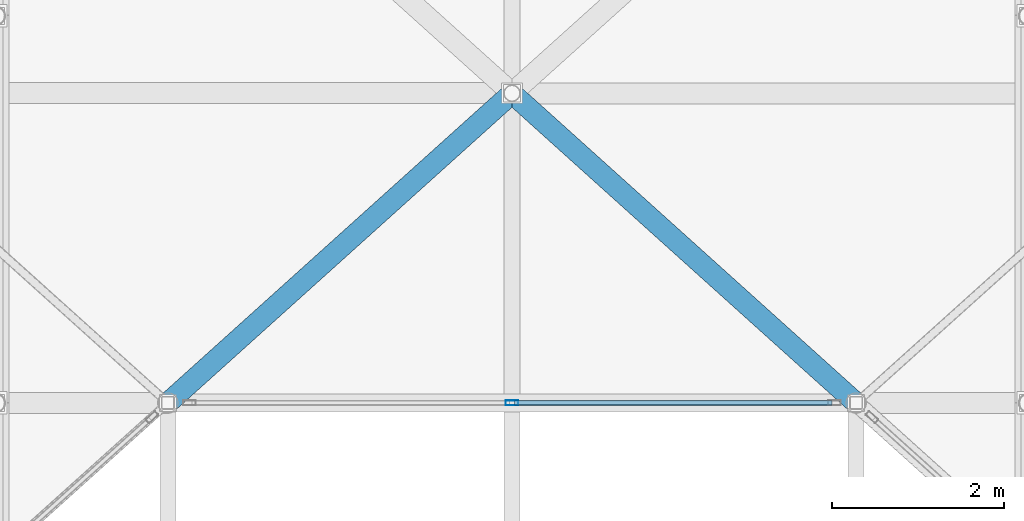
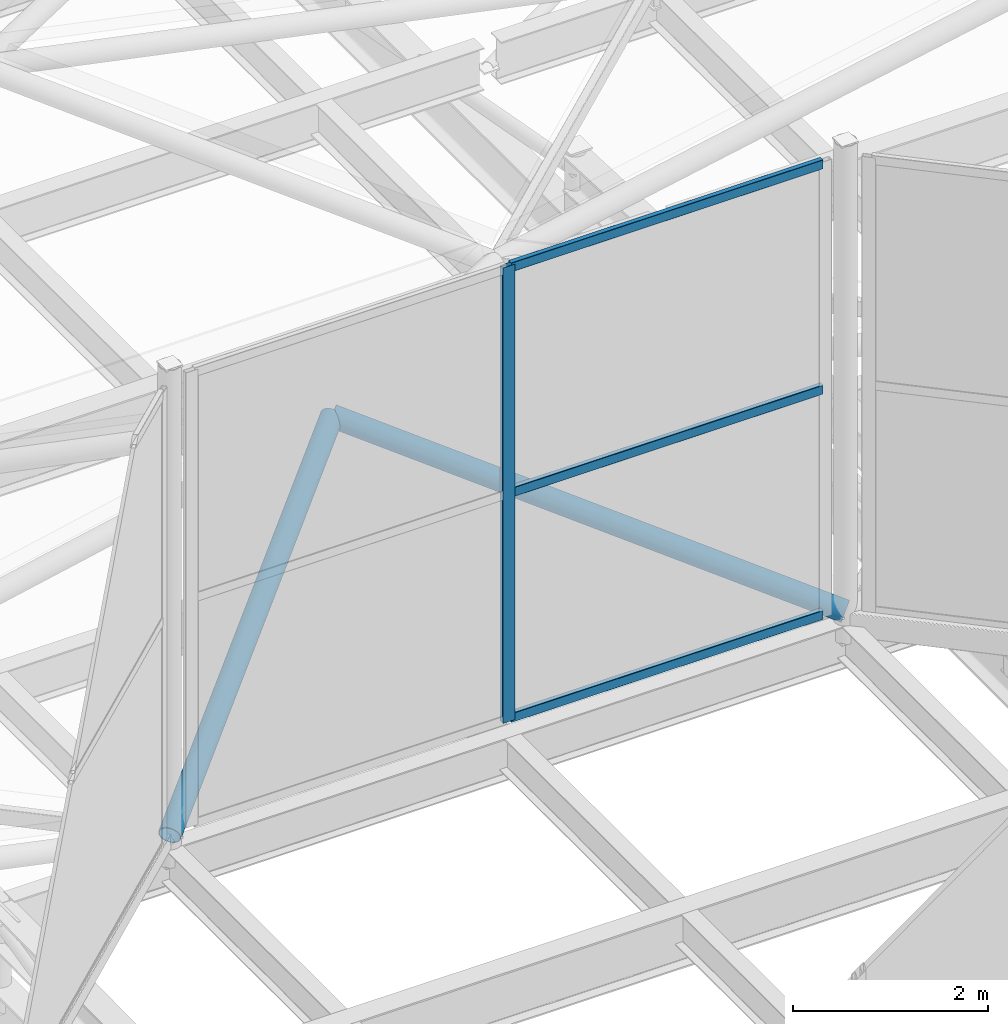
# One storey, part 122 of 239: 6 members, 1 element without a shape of its own.
"""IFC4 building model written with IfcOpenShell, lengths in metres."""

from ifc_helpers import new_model, si_unit, direction, frame, origin, origin_2d, place, context, subcontext, project, spatial, hollow_rectangle, hollow_circle, extrude, material, layer, layer_set, material_profile, profile_set, type_object, element, aggregate, save


model = new_model("IFC4")

# Units and contexts
model_context = context("Model", 3, precision=1e-05, world=origin(), true_north=direction((0.0, 1.0)))
body_context = subcontext(model_context, "Body", "Model", "MODEL_VIEW")
ifc_project = project(units=[si_unit("LENGTHUNIT", "METRE"), si_unit("AREAUNIT", "SQUARE_METRE"), si_unit("VOLUMEUNIT", "CUBIC_METRE"), si_unit("PLANEANGLEUNIT", "RADIAN"), si_unit("MASSUNIT", "GRAM", prefix="KILO")], contexts=[model_context])

# Site, building, storey
site_placement = place(None, origin())
site = spatial("IfcSite", under=ifc_project, at=site_placement, CompositionType="ELEMENT")
building_placement = place(site_placement, origin())
building = spatial("IfcBuilding", under=site, at=building_placement, Name="Dunvalen Ferry Terminal", CompositionType="ELEMENT")
storey_placement = place(building_placement, frame((0.0, 0.0, 9.840087890625)))
storey = spatial("IfcBuildingStorey", under=building, at=storey_placement, Name="L02", CompositionType="ELEMENT", Elevation=9.840087890625)

# Curtain wall, members
ifc_material_1 = material(Name="Anodised marine aluminium and solar-control glazing", Category="aluminium")
ifc_layer = layer(ifc_material_1, 0.179931640625, Name="Anodised marine aluminium and solar-control glazing")
ifc_layer_set = layer_set([ifc_layer], Name="Anodised marine aluminium and solar-control glazing")
curtain_wall_type = type_object("IfcCurtainWallType", Name="ENV-CW-SYS-05", PredefinedType="NOTDEFINED", material=ifc_layer_set)
curtain_wall_placement = place(storey_placement, origin())
curtain_wall = element("IfcCurtainWall", 1, at=curtain_wall_placement, inside=storey, type_object=curtain_wall_type, Name="L02 Curtain Wall CW-HEX-36-SK-5", PredefinedType="NOTDEFINED")
ifc_material_2 = material(Name="Anodised marine aluminium EN AW-6063 T6", Category="aluminium")
ifc_material_profile_1 = material_profile(ifc_material_2, hollow_rectangle(XDim=0.06005859375, YDim=0.14990234375, WallThickness=0.00341796875, InnerFilletRadius=0.00341796875, OuterFilletRadius=0.007080078125, at=origin_2d()), Name="Anodised marine aluminium EN AW-6063 T6")
ifc_profile_set_1 = profile_set([ifc_material_profile_1], Name="Anodised marine aluminium EN AW-6063 T6")
member_type_1 = type_object("IfcMemberType", Name="ENV-CW-MUL-3", PredefinedType="MULLION", material=ifc_profile_set_1)
member_1_placement = place(storey_placement, frame((78.0, 68.39990234375, 1.139892578125), z_axis=(0.0, 0.0, 1.0), x_axis=(0.0, -1.0, 0.0)))
member_1 = element("IfcMember", 2, at=member_1_placement, type_object=member_type_1, Name="CW-05 mullion 2", PredefinedType="MULLION", context=body_context, shape_type="SweptSolid", body=[
    extrude(hollow_rectangle(XDim=0.06005859375, YDim=0.14990234375, WallThickness=0.00341796875, InnerFilletRadius=0.00341796875, OuterFilletRadius=0.007080078125, at=origin_2d()), origin(), (0.0, 0.0, 1.0), 5.699951171875),
])
ifc_material_profile_2 = material_profile(ifc_material_2, hollow_rectangle(XDim=0.06005859375, YDim=0.114990234375, WallThickness=0.0029296875, InnerFilletRadius=0.0029296875, OuterFilletRadius=0.006103515625, at=origin_2d()), Name="Anodised marine aluminium EN AW-6063 T6")
ifc_profile_set_2 = profile_set([ifc_material_profile_2], Name="Anodised marine aluminium EN AW-6063 T6")
member_type_2 = type_object("IfcMemberType", Name="ENV-CW-TRN-3", PredefinedType="USERDEFINED", material=ifc_profile_set_2)
member_2_placement = place(storey_placement, frame((81.719970703125, 68.39990234375, 1.169921875), z_axis=(-1.0, 0.0, 0.0), x_axis=(0.0, -1.0, 0.0)))
member_2 = element("IfcMember", 3, at=member_2_placement, type_object=member_type_2, Name="CW-05 transom 1.1", ObjectType="TRANSOM", PredefinedType="USERDEFINED", context=body_context, shape_type="SweptSolid", body=[
    extrude(hollow_rectangle(XDim=0.06005859375, YDim=0.114990234375, WallThickness=0.0029296875, InnerFilletRadius=0.0029296875, OuterFilletRadius=0.006103515625, at=origin_2d()), origin(), (0.0, 0.0, 1.0), 3.68994140625),
])
member_3_placement = place(storey_placement, frame((81.719970703125, 68.39990234375, 3.989990234375), z_axis=(-1.0, 0.0, 0.0), x_axis=(0.0, -1.0, 0.0)))
member_3 = element("IfcMember", 4, at=member_3_placement, type_object=member_type_2, Name="CW-05 transom 1.2", ObjectType="TRANSOM", PredefinedType="USERDEFINED", context=body_context, shape_type="SweptSolid", body=[
    extrude(hollow_rectangle(XDim=0.06005859375, YDim=0.114990234375, WallThickness=0.0029296875, InnerFilletRadius=0.0029296875, OuterFilletRadius=0.006103515625, at=origin_2d()), origin(), (0.0, 0.0, 1.0), 3.68994140625),
])
member_4_placement = place(storey_placement, frame((81.719970703125, 68.39990234375, 6.809814453125), z_axis=(-1.0, 0.0, 0.0), x_axis=(0.0, -1.0, 0.0)))
member_4 = element("IfcMember", 5, at=member_4_placement, type_object=member_type_2, Name="CW-05 transom 1.3", ObjectType="TRANSOM", PredefinedType="USERDEFINED", context=body_context, shape_type="SweptSolid", body=[
    extrude(hollow_rectangle(XDim=0.06005859375, YDim=0.114990234375, WallThickness=0.0029296875, InnerFilletRadius=0.0029296875, OuterFilletRadius=0.006103515625, at=origin_2d()), origin(), (0.0, 0.0, 1.0), 3.68994140625),
])
aggregate(curtain_wall, [member_1, member_2, member_3, member_4])

# Members
ifc_material_3 = material(Name="Steel S355", Category="steel")
ifc_material_profile_3 = material_profile(ifc_material_3, hollow_circle(Radius=0.122314453125, WallThickness=0.010009765625, at=origin_2d()), Name="Steel S355")
ifc_profile_set_3 = profile_set([ifc_material_profile_3], Name="Steel S355")
member_type_3 = type_object("IfcMemberType", Name="STR-MB-CHS244", PredefinedType="STRUT", material=ifc_profile_set_3)
for number, where, z_axis, x_axis, name in (
    (6, (74.0, 68.39990234375, 1.099853515625), (0.710074680578, 0.639084548328, 0.295575520114), (-0.668974757313, 0.743285123004, 0.0), "HEX-37 Pyramid Hip Rafter 2"),
    (7, (82.0, 68.39990234375, 1.099853515625), (-0.710074680578, 0.639084548328, 0.295575520114), (-0.668974757313, -0.743285123004, 0.0), "HEX-37 Pyramid Hip Rafter 3"),
):
    element("IfcMember", number, at=place(storey_placement, frame(where, z_axis=z_axis, x_axis=x_axis)), inside=storey, type_object=member_type_3, Name=name, PredefinedType="STRUT", context=body_context, shape_type="SweptSolid", body=[
        extrude(hollow_circle(Radius=0.122314453125, WallThickness=0.010009765625, at=origin_2d()), origin(), (0.0, 0.0, 1.0), 5.63330078125),
    ])

save(model, "model.ifc")
